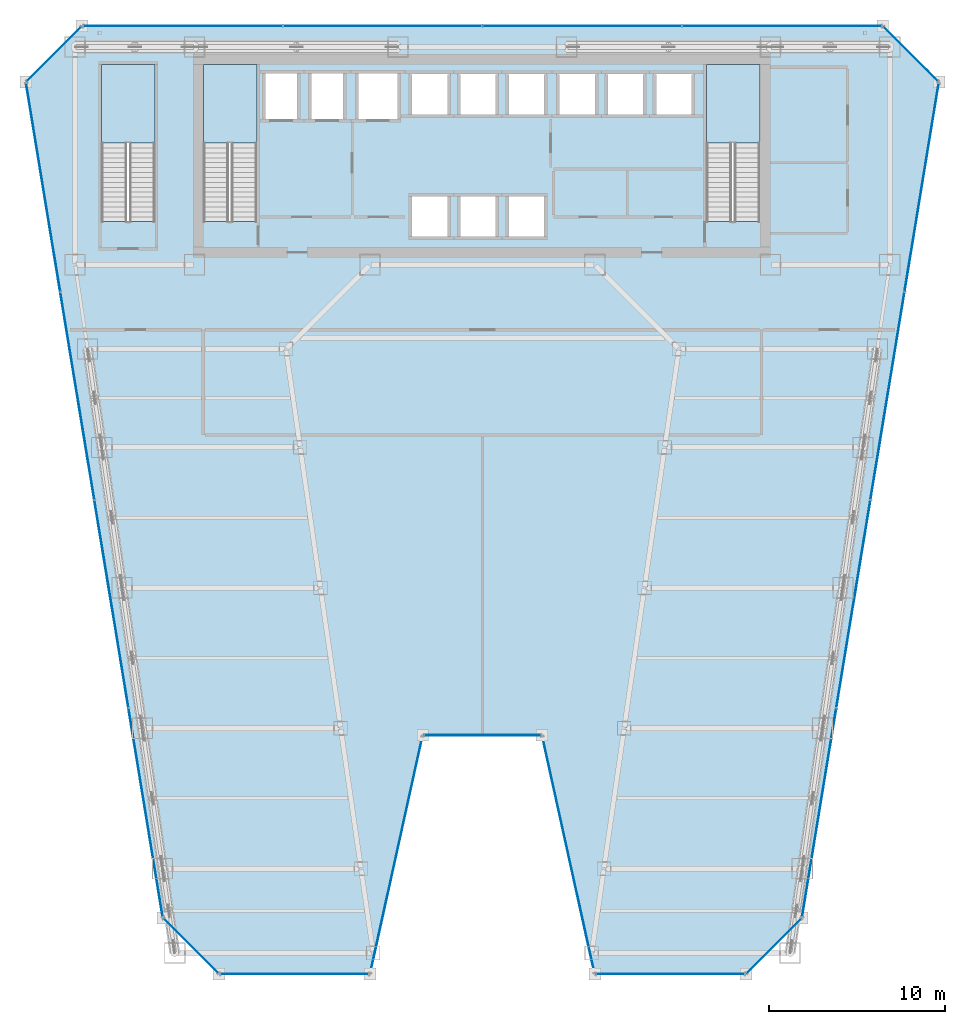
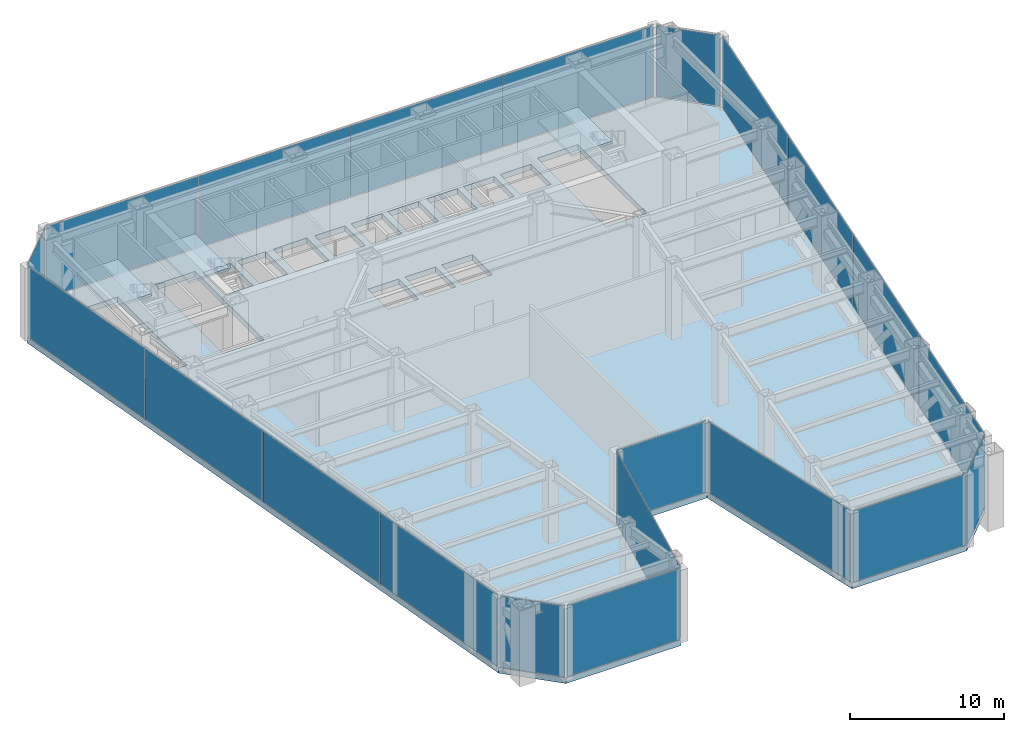
# One storey, part 28 of 35: 21 plates, 4 slabs, 15 elements without a shape of their own.
"""IFC4 building model written with IfcOpenShell, lengths in metres."""

from ifc_helpers import new_model, si_unit, direction, frame, origin, origin_2d, place, context, subcontext, project, spatial, polyline, rectangle, outline, extrude, material, layer, layer_set, type_object, element, aggregate, save


model = new_model("IFC4")

# Units and contexts
model_context = context("Model", 3, precision=1e-05, world=origin(), true_north=direction((0.0, 1.0)))
body_context = subcontext(model_context, "Body", "Model", "MODEL_VIEW")
ifc_project = project(units=[si_unit("LENGTHUNIT", "METRE"), si_unit("AREAUNIT", "SQUARE_METRE"), si_unit("VOLUMEUNIT", "CUBIC_METRE"), si_unit("PLANEANGLEUNIT", "RADIAN"), si_unit("MASSUNIT", "GRAM", prefix="KILO")], contexts=[model_context])

# Site, building, storey
site_placement = place(None, origin())
site = spatial("IfcSite", under=ifc_project, at=site_placement, CompositionType="ELEMENT")
building_placement = place(site_placement, origin())
building = spatial("IfcBuilding", under=site, at=building_placement, Name="Saevonmaru Cultural Tower", CompositionType="ELEMENT")
storey_placement = place(building_placement, frame((0.0, 0.0, 86.800048828125)))
storey = spatial("IfcBuildingStorey", under=building, at=storey_placement, Name="L18", CompositionType="ELEMENT", Elevation=86.800048828125)

# Curtain wall, plate
ifc_material_1 = material(Name="Satin Bronze Anodised Aluminium", Category="aluminium")
curtain_wall_type = type_object("IfcCurtainWallType", Name="CW-TYP-A", PredefinedType="NOTDEFINED", material=ifc_material_1)
curtain_wall_1_placement = place(storey_placement, origin())
curtain_wall_1 = element("IfcCurtainWall", 1, at=curtain_wall_1_placement, inside=storey, type_object=curtain_wall_type, Name="L18 Wind-Floor Acoustic Louvre Screen E1", PredefinedType="NOTDEFINED")
ifc_material_2 = material(Name="Champagne Bronze Anodised Aluminium", Category="aluminium")
ifc_layer_1 = layer(ifc_material_2, 0.080078125, Name="Champagne Bronze Anodised Aluminium")
ifc_layer_set_1 = layer_set([ifc_layer_1], Name="Champagne Bronze Anodised Aluminium")
plate_type = type_object("IfcPlateType", Name="PN-LOUVRE-WIND", PredefinedType="CURTAIN_PANEL", material=ifc_layer_set_1)
plate_1_placement = place(storey_placement, frame((13.39990234375, 3.60009765625, 0.06689453125), z_axis=(0.0, 0.0, 1.0), x_axis=(0.707106781187, -0.707106781187, 0.0)))
plate_1 = element("IfcPlate", 2, at=plate_1_placement, type_object=plate_type, Name="CW-TW-L18-E1 panel 1.1", PredefinedType="CURTAIN_PANEL", context=body_context, shape_type="SweptSolid", body=[
    extrude(rectangle(XDim=4.336669921875, YDim=0.035888671875, at=origin_2d()), origin(), (0.0, 0.0, 1.0), 5.615966796875),
])
aggregate(curtain_wall_1, [plate_1])

curtain_wall_2_placement = place(storey_placement, origin())
curtain_wall_2 = element("IfcCurtainWall", 3, at=curtain_wall_2_placement, inside=storey, type_object=curtain_wall_type, Name="L18 Wind-Floor Acoustic Louvre Screen E2", PredefinedType="NOTDEFINED")
plate_2_placement = place(storey_placement, frame((19.300048828125, 2.0, 0.06689453125), z_axis=(0.0, 0.0, 1.0), x_axis=(1.0, 0.0, 0.0)))
plate_2 = element("IfcPlate", 4, at=plate_2_placement, type_object=plate_type, Name="CW-TW-L18-E2 panel 1.1", PredefinedType="CURTAIN_PANEL", context=body_context, shape_type="SweptSolid", body=[
    extrude(rectangle(XDim=8.410888671875, YDim=0.035888671875, at=origin_2d()), origin(), (0.0, 0.0, 1.0), 5.615966796875),
])
aggregate(curtain_wall_2, [plate_2])

curtain_wall_3_placement = place(storey_placement, origin())
curtain_wall_3 = element("IfcCurtainWall", 5, at=curtain_wall_3_placement, inside=storey, type_object=curtain_wall_type, Name="L18 Wind-Floor Acoustic Louvre Screen E3", PredefinedType="NOTDEFINED")
plate_3_placement = place(storey_placement, frame((25.10009765625, 8.800048828125, 0.06689453125), z_axis=(0.0, 0.0, 1.0), x_axis=(0.215413319953, 0.976522965212, 0.0)))
plate_3 = element("IfcPlate", 6, at=plate_3_placement, type_object=plate_type, Name="CW-TW-L18-E3 panel 1.1", PredefinedType="CURTAIN_PANEL", context=body_context, shape_type="SweptSolid", body=[
    extrude(rectangle(XDim=13.738037109375, YDim=0.035888671875, at=origin_2d()), origin(), (0.0, 0.0, 1.0), 5.615966796875),
])
aggregate(curtain_wall_3, [plate_3])

curtain_wall_4_placement = place(storey_placement, origin())
curtain_wall_4 = element("IfcCurtainWall", 7, at=curtain_wall_4_placement, inside=storey, type_object=curtain_wall_type, Name="L18 Wind-Floor Acoustic Louvre Screen E4", PredefinedType="NOTDEFINED")
plate_4_placement = place(storey_placement, frame((30.0, 15.60009765625, 0.06689453125), z_axis=(0.0, 0.0, 1.0), x_axis=(1.0, 0.0, 0.0)))
plate_4 = element("IfcPlate", 8, at=plate_4_placement, type_object=plate_type, Name="CW-TW-L18-E4 panel 1.1", PredefinedType="CURTAIN_PANEL", context=body_context, shape_type="SweptSolid", body=[
    extrude(rectangle(XDim=6.611083984375, YDim=0.035888671875, at=origin_2d()), origin(), (0.0, 0.0, 1.0), 5.615966796875),
])
aggregate(curtain_wall_4, [plate_4])

curtain_wall_5_placement = place(storey_placement, origin())
curtain_wall_5 = element("IfcCurtainWall", 9, at=curtain_wall_5_placement, inside=storey, type_object=curtain_wall_type, Name="L18 Wind-Floor Acoustic Louvre Screen E5", PredefinedType="NOTDEFINED")
plate_5_placement = place(storey_placement, frame((34.89990234375, 8.800048828125, 0.06689453125), z_axis=(0.0, 0.0, 1.0), x_axis=(0.215413319953, -0.976522965212, 0.0)))
plate_5 = element("IfcPlate", 10, at=plate_5_placement, type_object=plate_type, Name="CW-TW-L18-E5 panel 1.1", PredefinedType="CURTAIN_PANEL", context=body_context, shape_type="SweptSolid", body=[
    extrude(rectangle(XDim=13.738037109375, YDim=0.035888671875, at=origin_2d()), origin(), (0.0, 0.0, 1.0), 5.615966796875),
])
aggregate(curtain_wall_5, [plate_5])

curtain_wall_6_placement = place(storey_placement, origin())
curtain_wall_6 = element("IfcCurtainWall", 11, at=curtain_wall_6_placement, inside=storey, type_object=curtain_wall_type, Name="L18 Wind-Floor Acoustic Louvre Screen E6", PredefinedType="NOTDEFINED")
plate_6_placement = place(storey_placement, frame((40.699951171875, 2.0, 0.06689453125), z_axis=(0.0, 0.0, 1.0), x_axis=(1.0, 0.0, 0.0)))
plate_6 = element("IfcPlate", 12, at=plate_6_placement, type_object=plate_type, Name="CW-TW-L18-E6 panel 1.1", PredefinedType="CURTAIN_PANEL", context=body_context, shape_type="SweptSolid", body=[
    extrude(rectangle(XDim=8.410888671875, YDim=0.035888671875, at=origin_2d()), origin(), (0.0, 0.0, 1.0), 5.615966796875),
])
aggregate(curtain_wall_6, [plate_6])

curtain_wall_7_placement = place(storey_placement, origin())
curtain_wall_7 = element("IfcCurtainWall", 13, at=curtain_wall_7_placement, inside=storey, type_object=curtain_wall_type, Name="L18 Wind-Floor Acoustic Louvre Screen E7", PredefinedType="NOTDEFINED")
plate_7_placement = place(storey_placement, frame((46.60009765625, 3.60009765625, 0.06689453125), z_axis=(0.0, 0.0, 1.0), x_axis=(0.707106781187, 0.707106781187, 0.0)))
plate_7 = element("IfcPlate", 14, at=plate_7_placement, type_object=plate_type, Name="CW-TW-L18-E7 panel 1.1", PredefinedType="CURTAIN_PANEL", context=body_context, shape_type="SweptSolid", body=[
    extrude(rectangle(XDim=4.336669921875, YDim=0.035888671875, at=origin_2d()), origin(), (0.0, 0.0, 1.0), 5.615966796875),
])
aggregate(curtain_wall_7, [plate_7])

# Curtain wall, plates
curtain_wall_8_placement = place(storey_placement, origin())
curtain_wall_8 = element("IfcCurtainWall", 15, at=curtain_wall_8_placement, inside=storey, type_object=curtain_wall_type, Name="L18 Wind-Floor Acoustic Louvre Screen E8", PredefinedType="NOTDEFINED")
plate_8_placement = place(storey_placement, frame((49.182373046875, 11.1943359375, 0.06689453125), z_axis=(0.0, 0.0, 1.0), x_axis=(0.161708868641, 0.986838508472, 0.0)))
plate_8 = element("IfcPlate", 16, at=plate_8_placement, type_object=plate_type, Name="CW-TW-L18-E8 panel 1.1", PredefinedType="CURTAIN_PANEL", context=body_context, shape_type="SweptSolid", body=[
    extrude(rectangle(XDim=11.959716796875, YDim=0.035888671875, at=origin_2d()), origin(), (0.0, 0.0, 1.0), 5.615966796875),
])
plate_9_placement = place(storey_placement, frame((51.12744140625, 23.064697265625, 0.06689453125), z_axis=(0.0, 0.0, 1.0), x_axis=(0.161708868641, 0.986838508472, 0.0)))
plate_9 = element("IfcPlate", 17, at=plate_9_placement, type_object=plate_type, Name="CW-TW-L18-E8 panel 2.1", PredefinedType="CURTAIN_PANEL", context=body_context, shape_type="SweptSolid", body=[
    extrude(rectangle(XDim=11.959716796875, YDim=0.035888671875, at=origin_2d()), origin(), (0.0, 0.0, 1.0), 5.615966796875),
])
plate_10_placement = place(storey_placement, frame((53.072509765625, 34.935302734375, 0.06689453125), z_axis=(0.0, 0.0, 1.0), x_axis=(0.161708868641, 0.986838508472, 0.0)))
plate_10 = element("IfcPlate", 18, at=plate_10_placement, type_object=plate_type, Name="CW-TW-L18-E8 panel 3.1", PredefinedType="CURTAIN_PANEL", context=body_context, shape_type="SweptSolid", body=[
    extrude(rectangle(XDim=11.959716796875, YDim=0.035888671875, at=origin_2d()), origin(), (0.0, 0.0, 1.0), 5.615966796875),
])
plate_11_placement = place(storey_placement, frame((55.017822265625, 46.8056640625, 0.06689453125), z_axis=(0.0, 0.0, 1.0), x_axis=(0.161708868641, 0.986838508472, 0.0)))
plate_11 = element("IfcPlate", 19, at=plate_11_placement, type_object=plate_type, Name="CW-TW-L18-E8 panel 4.1", PredefinedType="CURTAIN_PANEL", context=body_context, shape_type="SweptSolid", body=[
    extrude(rectangle(XDim=11.959716796875, YDim=0.035888671875, at=origin_2d()), origin(), (0.0, 0.0, 1.0), 5.615966796875),
])
aggregate(curtain_wall_8, [plate_8, plate_9, plate_10, plate_11])

# Curtain wall, plate
curtain_wall_9_placement = place(storey_placement, origin())
curtain_wall_9 = element("IfcCurtainWall", 20, at=curtain_wall_9_placement, inside=storey, type_object=curtain_wall_type, Name="L18 Wind-Floor Acoustic Louvre Screen E9", PredefinedType="NOTDEFINED")
plate_12_placement = place(storey_placement, frame((54.39990234375, 54.39990234375, 0.06689453125), z_axis=(0.0, 0.0, 1.0), x_axis=(-0.707106781187, 0.707106781187, 0.0)))
plate_12 = element("IfcPlate", 21, at=plate_12_placement, type_object=plate_type, Name="CW-TW-L18-E9 panel 1.1", PredefinedType="CURTAIN_PANEL", context=body_context, shape_type="SweptSolid", body=[
    extrude(rectangle(XDim=4.336669921875, YDim=0.035888671875, at=origin_2d()), origin(), (0.0, 0.0, 1.0), 5.615966796875),
])
aggregate(curtain_wall_9, [plate_12])

# Curtain wall, plates
curtain_wall_10_placement = place(storey_placement, origin())
curtain_wall_10 = element("IfcCurtainWall", 22, at=curtain_wall_10_placement, inside=storey, type_object=curtain_wall_type, Name="L18 Wind-Floor Acoustic Louvre Screen E10", PredefinedType="NOTDEFINED")
plate_13_placement = place(storey_placement, frame((47.054931640625, 56.0, 0.06689453125), z_axis=(0.0, 0.0, 1.0), x_axis=(-1.0, 0.0, 0.0)))
plate_13 = element("IfcPlate", 23, at=plate_13_placement, type_object=plate_type, Name="CW-TW-L18-E10 panel 1.1", PredefinedType="CURTAIN_PANEL", context=body_context, shape_type="SweptSolid", body=[
    extrude(rectangle(XDim=11.301025390625, YDim=0.035888671875, at=origin_2d()), origin(), (0.0, 0.0, 1.0), 5.615966796875),
])
plate_14_placement = place(storey_placement, frame((35.68505859375, 56.0, 0.06689453125), z_axis=(0.0, 0.0, 1.0), x_axis=(-1.0, 0.0, 0.0)))
plate_14 = element("IfcPlate", 24, at=plate_14_placement, type_object=plate_type, Name="CW-TW-L18-E10 panel 2.1", PredefinedType="CURTAIN_PANEL", context=body_context, shape_type="SweptSolid", body=[
    extrude(rectangle(XDim=11.301025390625, YDim=0.035888671875, at=origin_2d()), origin(), (0.0, 0.0, 1.0), 5.615966796875),
])
plate_15_placement = place(storey_placement, frame((24.31494140625, 56.0, 0.06689453125), z_axis=(0.0, 0.0, 1.0), x_axis=(-1.0, 0.0, 0.0)))
plate_15 = element("IfcPlate", 25, at=plate_15_placement, type_object=plate_type, Name="CW-TW-L18-E10 panel 3.1", PredefinedType="CURTAIN_PANEL", context=body_context, shape_type="SweptSolid", body=[
    extrude(rectangle(XDim=11.301025390625, YDim=0.035888671875, at=origin_2d()), origin(), (0.0, 0.0, 1.0), 5.615966796875),
])
plate_16_placement = place(storey_placement, frame((12.945068359375, 56.0, 0.06689453125), z_axis=(0.0, 0.0, 1.0), x_axis=(-1.0, 0.0, 0.0)))
plate_16 = element("IfcPlate", 26, at=plate_16_placement, type_object=plate_type, Name="CW-TW-L18-E10 panel 4.1", PredefinedType="CURTAIN_PANEL", context=body_context, shape_type="SweptSolid", body=[
    extrude(rectangle(XDim=11.301025390625, YDim=0.035888671875, at=origin_2d()), origin(), (0.0, 0.0, 1.0), 5.615966796875),
])
aggregate(curtain_wall_10, [plate_13, plate_14, plate_15, plate_16])

# Curtain wall, plate
curtain_wall_11_placement = place(storey_placement, origin())
curtain_wall_11 = element("IfcCurtainWall", 27, at=curtain_wall_11_placement, inside=storey, type_object=curtain_wall_type, Name="L18 Wind-Floor Acoustic Louvre Screen E11", PredefinedType="NOTDEFINED")
plate_17_placement = place(storey_placement, frame((5.60009765625, 54.39990234375, 0.06689453125), z_axis=(0.0, 0.0, 1.0), x_axis=(-0.707106781187, -0.707106781187, 0.0)))
plate_17 = element("IfcPlate", 28, at=plate_17_placement, type_object=plate_type, Name="CW-TW-L18-E11 panel 1.1", PredefinedType="CURTAIN_PANEL", context=body_context, shape_type="SweptSolid", body=[
    extrude(rectangle(XDim=4.336669921875, YDim=0.035888671875, at=origin_2d()), origin(), (0.0, 0.0, 1.0), 5.615966796875),
])
aggregate(curtain_wall_11, [plate_17])

# Curtain wall, plates
curtain_wall_12_placement = place(storey_placement, origin())
curtain_wall_12 = element("IfcCurtainWall", 29, at=curtain_wall_12_placement, inside=storey, type_object=curtain_wall_type, Name="L18 Wind-Floor Acoustic Louvre Screen E12", PredefinedType="NOTDEFINED")
plate_18_placement = place(storey_placement, frame((4.982177734375, 46.8056640625, 0.06689453125), z_axis=(0.0, 0.0, 1.0), x_axis=(0.161708868641, -0.986838508472, 0.0)))
plate_18 = element("IfcPlate", 30, at=plate_18_placement, type_object=plate_type, Name="CW-TW-L18-E12 panel 1.1", PredefinedType="CURTAIN_PANEL", context=body_context, shape_type="SweptSolid", body=[
    extrude(rectangle(XDim=11.959716796875, YDim=0.035888671875, at=origin_2d()), origin(), (0.0, 0.0, 1.0), 5.615966796875),
])
plate_19_placement = place(storey_placement, frame((6.927490234375, 34.935302734375, 0.06689453125), z_axis=(0.0, 0.0, 1.0), x_axis=(0.161708868641, -0.986838508472, 0.0)))
plate_19 = element("IfcPlate", 31, at=plate_19_placement, type_object=plate_type, Name="CW-TW-L18-E12 panel 2.1", PredefinedType="CURTAIN_PANEL", context=body_context, shape_type="SweptSolid", body=[
    extrude(rectangle(XDim=11.959716796875, YDim=0.035888671875, at=origin_2d()), origin(), (0.0, 0.0, 1.0), 5.615966796875),
])
plate_20_placement = place(storey_placement, frame((8.87255859375, 23.064697265625, 0.06689453125), z_axis=(0.0, 0.0, 1.0), x_axis=(0.161708868641, -0.986838508472, 0.0)))
plate_20 = element("IfcPlate", 32, at=plate_20_placement, type_object=plate_type, Name="CW-TW-L18-E12 panel 3.1", PredefinedType="CURTAIN_PANEL", context=body_context, shape_type="SweptSolid", body=[
    extrude(rectangle(XDim=11.959716796875, YDim=0.035888671875, at=origin_2d()), origin(), (0.0, 0.0, 1.0), 5.615966796875),
])
plate_21_placement = place(storey_placement, frame((10.817626953125, 11.1943359375, 0.06689453125), z_axis=(0.0, 0.0, 1.0), x_axis=(0.161708868641, -0.986838508472, 0.0)))
plate_21 = element("IfcPlate", 33, at=plate_21_placement, type_object=plate_type, Name="CW-TW-L18-E12 panel 4.1", PredefinedType="CURTAIN_PANEL", context=body_context, shape_type="SweptSolid", body=[
    extrude(rectangle(XDim=11.959716796875, YDim=0.035888671875, at=origin_2d()), origin(), (0.0, 0.0, 1.0), 5.615966796875),
])
aggregate(curtain_wall_12, [plate_18, plate_19, plate_20, plate_21])

# Slab
ifc_material_3 = material(Name="Concrete C50/60", Category="concrete")
ifc_layer_2 = layer(ifc_material_3, 0.449951171875, Name="Concrete C50/60")
ifc_layer_set_2 = layer_set([ifc_layer_2], Name="Concrete C50/60")
slab_type_1 = type_object("IfcSlabType", Name="SL-FLR-450", PredefinedType="FLOOR", material=ifc_layer_set_2)
slab_1_placement = place(storey_placement, frame((0.0, 0.0, -0.449951171875)))
element("IfcSlab", 34, at=slab_1_placement, inside=storey, type_object=slab_type_1, Name="L18 Tower Structural Floor Slab", PredefinedType="FLOOR", context=body_context, shape_type="SweptSolid", body=[
    extrude(outline(polyline([(11.800048828125, 5.199951171875), (15.0, 2.0), (23.60009765625, 2.0), (26.60009765625, 15.60009765625), (33.39990234375, 15.60009765625), (36.39990234375, 2.0), (45.0, 2.0), (48.199951171875, 5.199951171875), (56.0, 52.800048828125), (52.800048828125, 56.0), (7.199951171875, 56.0), (4.0, 52.800048828125), (11.800048828125, 5.199951171875)]), holes=[polyline([(45.800048828125, 44.875), (42.75, 44.875), (42.75, 53.800048828125), (45.800048828125, 53.800048828125), (45.800048828125, 44.875)]), polyline([(39.75, 50.800048828125), (39.75, 53.39990234375), (42.050048828125, 53.39990234375), (42.050048828125, 50.800048828125), (39.75, 50.800048828125)]), polyline([(37.0, 50.800048828125), (37.0, 53.39990234375), (39.300048828125, 53.39990234375), (39.300048828125, 50.800048828125), (37.0, 50.800048828125)]), polyline([(34.25, 50.800048828125), (34.25, 53.39990234375), (36.550048828125, 53.39990234375), (36.550048828125, 50.800048828125), (34.25, 50.800048828125)]), polyline([(31.35009765625, 43.85009765625), (31.35009765625, 46.449951171875), (33.64990234375, 46.449951171875), (33.64990234375, 43.85009765625), (31.35009765625, 43.85009765625)]), polyline([(31.35009765625, 50.800048828125), (31.35009765625, 53.39990234375), (33.64990234375, 53.39990234375), (33.64990234375, 50.800048828125), (31.35009765625, 50.800048828125)]), polyline([(28.60009765625, 43.85009765625), (28.60009765625, 46.449951171875), (30.89990234375, 46.449951171875), (30.89990234375, 43.85009765625), (28.60009765625, 43.85009765625)]), polyline([(28.60009765625, 50.800048828125), (28.60009765625, 53.39990234375), (30.89990234375, 53.39990234375), (30.89990234375, 50.800048828125), (28.60009765625, 50.800048828125)]), polyline([(28.14990234375, 43.85009765625), (25.85009765625, 43.85009765625), (25.85009765625, 46.449951171875), (28.14990234375, 46.449951171875), (28.14990234375, 43.85009765625)]), polyline([(25.85009765625, 50.800048828125), (25.85009765625, 53.39990234375), (28.14990234375, 53.39990234375), (28.14990234375, 50.800048828125), (25.85009765625, 50.800048828125)]), polyline([(22.800048828125, 50.550048828125), (22.800048828125, 53.449951171875), (25.300048828125, 53.449951171875), (25.300048828125, 50.550048828125), (22.800048828125, 50.550048828125)]), polyline([(20.10009765625, 50.550048828125), (20.10009765625, 53.449951171875), (22.199951171875, 53.449951171875), (22.199951171875, 50.550048828125), (20.10009765625, 50.550048828125)]), polyline([(17.5, 50.550048828125), (17.5, 53.449951171875), (19.60009765625, 53.449951171875), (19.60009765625, 50.550048828125), (17.5, 50.550048828125)]), polyline([(17.14990234375, 44.875), (14.10009765625, 44.875), (14.10009765625, 53.800048828125), (17.14990234375, 53.800048828125), (17.14990234375, 44.875)]), polyline([(11.35009765625, 44.875), (8.300048828125, 44.875), (8.300048828125, 53.800048828125), (11.35009765625, 53.800048828125), (11.35009765625, 44.875)])]), origin(), (0.0, 0.0, 1.0), 0.449951171875),
])

# Stair, slab
ifc_material_4 = material(Name="Concrete C40/50", Category="concrete")
stair_type = type_object("IfcStairType", Name="STR-DOGLEG-RC", PredefinedType="HALF_TURN_STAIR", material=ifc_material_4)
stair_1_placement = place(storey_placement, origin())
stair_1 = element("IfcStair", 35, at=stair_1_placement, inside=storey, type_object=stair_type, Name="L18 Protected exit stair ST-1", PredefinedType="HALF_TURN_STAIR")
ifc_layer_3 = layer(ifc_material_4, 0.199951171875, Name="Concrete C40/50")
ifc_layer_set_3 = layer_set([ifc_layer_3], Name="Concrete C40/50")
slab_type_2 = type_object("IfcSlabType", Name="SL-STAIR-LANDING", PredefinedType="LANDING", material=ifc_layer_set_3)
slab_2_placement = place(storey_placement, frame((0.0, 0.0, 2.800048828125)))
slab_2 = element("IfcSlab", 36, at=slab_2_placement, type_object=slab_type_2, Name="ST-1-L18 landing 1", PredefinedType="LANDING", context=body_context, shape_type="SweptSolid", body=[
    extrude(outline(polyline([(17.14990234375, 49.330078125), (17.14990234375, 53.800048828125), (14.10009765625, 53.800048828125), (14.10009765625, 49.330078125), (17.14990234375, 49.330078125)])), origin(), (0.0, 0.0, 1.0), 0.199951171875),
])
aggregate(stair_1, [slab_2])

stair_2_placement = place(storey_placement, origin())
stair_2 = element("IfcStair", 37, at=stair_2_placement, inside=storey, type_object=stair_type, Name="L18 Protected exit stair ST-2", PredefinedType="HALF_TURN_STAIR")
slab_3_placement = place(storey_placement, frame((0.0, 0.0, 2.800048828125)))
slab_3 = element("IfcSlab", 38, at=slab_3_placement, type_object=slab_type_2, Name="ST-2-L18 landing 1", PredefinedType="LANDING", context=body_context, shape_type="SweptSolid", body=[
    extrude(outline(polyline([(45.800048828125, 49.330078125), (45.800048828125, 53.800048828125), (42.75, 53.800048828125), (42.75, 49.330078125), (45.800048828125, 49.330078125)])), origin(), (0.0, 0.0, 1.0), 0.199951171875),
])
aggregate(stair_2, [slab_3])

stair_3_placement = place(storey_placement, origin())
stair_3 = element("IfcStair", 39, at=stair_3_placement, inside=storey, type_object=stair_type, Name="L18 Protected exit stair ST-3", PredefinedType="HALF_TURN_STAIR")
slab_4_placement = place(storey_placement, frame((0.0, 0.0, 2.800048828125)))
slab_4 = element("IfcSlab", 40, at=slab_4_placement, type_object=slab_type_2, Name="ST-3-L18 landing 1", PredefinedType="LANDING", context=body_context, shape_type="SweptSolid", body=[
    extrude(outline(polyline([(11.35009765625, 49.330078125), (11.35009765625, 53.800048828125), (8.300048828125, 53.800048828125), (8.300048828125, 49.330078125), (11.35009765625, 49.330078125)])), origin(), (0.0, 0.0, 1.0), 0.199951171875),
])
aggregate(stair_3, [slab_4])

save(model, "model.ifc")
